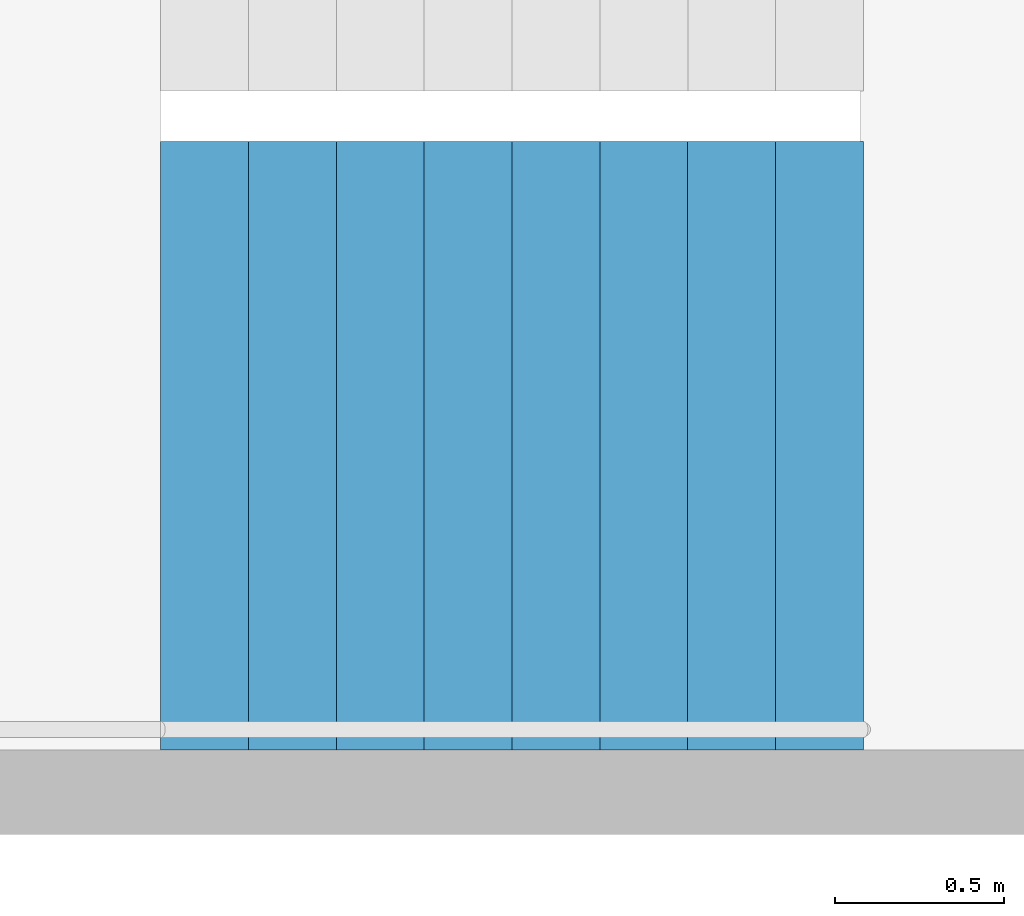
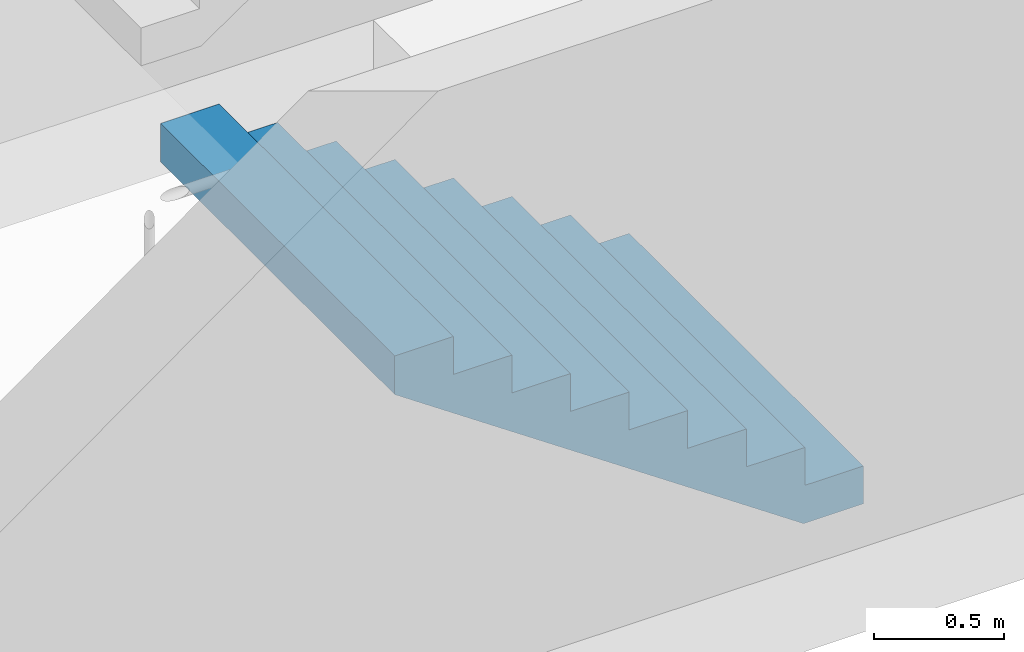
# One storey, part 27 of 29: 1 stair flight, 1 element without a shape of its own.
"""IFC4 building model written with IfcOpenShell, lengths in metres."""

from ifc_helpers import new_model, si_unit, direction, frame, origin, place, context, subcontext, project, spatial, triangles, material, type_object, element, aggregate, save


model = new_model("IFC4")

# Units and contexts
model_context = context("Model", 3, precision=1e-05, world=origin(), true_north=direction((0.0, 1.0)))
body_context = subcontext(model_context, "Body", "Model", "MODEL_VIEW")
ifc_project = project(units=[si_unit("LENGTHUNIT", "METRE"), si_unit("AREAUNIT", "SQUARE_METRE"), si_unit("VOLUMEUNIT", "CUBIC_METRE"), si_unit("PLANEANGLEUNIT", "RADIAN"), si_unit("MASSUNIT", "GRAM", prefix="KILO")], contexts=[model_context])

# Site, building, storey
site_placement = place(None, origin())
site = spatial("IfcSite", under=ifc_project, at=site_placement, CompositionType="ELEMENT")
building_placement = place(site_placement, origin())
building = spatial("IfcBuilding", under=site, at=building_placement, Name="Hakoniwa Tower and Hamabe Station Hall", CompositionType="ELEMENT")
storey_placement = place(building_placement, frame((0.0, 0.0, 29.39990234375)))
storey = spatial("IfcBuildingStorey", under=building, at=storey_placement, Name="L07", CompositionType="ELEMENT", Elevation=29.39990234375)

# Stair, stair flight
ifc_material_1 = material(Name="Concrete C40", Category="concrete")
stair_type = type_object("IfcStairType", Name="ESCAPE STAIR 1800", PredefinedType="HALF_TURN_STAIR", material=ifc_material_1)
stair_placement = place(storey_placement, origin())
stair = element("IfcStair", 1, at=stair_placement, inside=storey, type_object=stair_type, Name="Escape stair ST-3 L07", PredefinedType="HALF_TURN_STAIR")
ifc_material_2 = material(Name="Concrete C40", Category="concrete")
stair_flight_type = type_object("IfcStairFlightType", Name="STAIR FLIGHT 1800", PredefinedType="STRAIGHT", material=ifc_material_2)
stair_flight_placement = place(storey_placement, frame((24.39990234375, 4.64990234375, 0.0), z_axis=(0.0, 0.0, 1.0), x_axis=(-1.0, 0.0, 0.0)))
stair_flight = element("IfcStairFlight", 2, at=stair_flight_placement, type_object=stair_flight_type, Name="ST-3 flight 1", NumberOfRisers=9, NumberOfTreads=8, PredefinedType="STRAIGHT", RiserHeight=0.177777778, TreadLength=0.26, context=body_context, shape_type="Tessellation", body=[
    triangles([(0.0, 0.89990234375, 0.0), (0.260009765625, 0.89990234375, 0.0), (0.265625, 0.89990234375, 0.0), (0.52001953125, 0.89990234375, 0.174072265625), (0.780029296875, 0.89990234375, 0.351806640625), (1.0400390625, 0.89990234375, 0.529541015625), (1.300048828125, 0.89990234375, 0.707275390625), (1.56005859375, 0.89990234375, 0.885009765625), (1.820068359375, 0.89990234375, 1.062744140625), (2.080078125, 0.89990234375, 1.24072265625), (2.080078125, 0.89990234375, 1.422119140625), (1.820068359375, 0.89990234375, 1.422119140625), (1.820068359375, 0.89990234375, 1.244384765625), (1.56005859375, 0.89990234375, 1.244384765625), (1.56005859375, 0.89990234375, 1.066650390625), (1.300048828125, 0.89990234375, 1.066650390625), (1.300048828125, 0.89990234375, 0.888916015625), (1.0400390625, 0.89990234375, 0.888916015625), (1.0400390625, 0.89990234375, 0.711181640625), (0.780029296875, 0.89990234375, 0.711181640625), (0.780029296875, 0.89990234375, 0.533447265625), (0.52001953125, 0.89990234375, 0.533447265625), (0.52001953125, 0.89990234375, 0.35546875), (0.265625, 0.89990234375, 0.35546875), (0.260009765625, 0.89990234375, 0.35546875), (0.260009765625, 0.89990234375, 0.177734375), (0.0, 0.89990234375, 0.177734375), (0.0, 0.06005859375, 0.0), (0.260009765625, 0.06005859375, 0.0), (0.265625, 0.06005859375, 0.0), (0.52001953125, 0.06005859375, 0.174072265625), (0.780029296875, 0.06005859375, 0.351806640625), (1.0400390625, 0.06005859375, 0.529541015625), (1.300048828125, 0.06005859375, 0.707275390625), (1.56005859375, 0.06005859375, 0.885009765625), (1.820068359375, 0.06005859375, 1.062744140625), (2.080078125, 0.06005859375, 1.24072265625), (2.080078125, 0.06005859375, 1.422119140625), (1.820068359375, 0.06005859375, 1.422119140625), (1.820068359375, 0.06005859375, 1.244384765625), (1.56005859375, 0.06005859375, 1.244384765625), (1.56005859375, 0.06005859375, 1.066650390625), (1.300048828125, 0.06005859375, 1.066650390625), (1.300048828125, 0.06005859375, 0.888916015625), (1.0400390625, 0.06005859375, 0.888916015625), (1.0400390625, 0.06005859375, 0.711181640625), (0.780029296875, 0.06005859375, 0.711181640625), (0.780029296875, 0.06005859375, 0.533447265625), (0.52001953125, 0.06005859375, 0.533447265625), (0.52001953125, 0.06005859375, 0.35546875), (0.265625, 0.06005859375, 0.35546875), (0.260009765625, 0.06005859375, 0.35546875), (0.260009765625, 0.06005859375, 0.177734375), (0.0, 0.06005859375, 0.177734375), (0.0, 0.04296875, 0.0), (0.260009765625, 0.04296875, 0.0), (0.265625, 0.04296875, 0.0), (0.52001953125, 0.04296875, 0.174072265625), (0.780029296875, 0.04296875, 0.351806640625), (1.0400390625, 0.04296875, 0.529541015625), (1.300048828125, 0.04296875, 0.707275390625), (1.56005859375, 0.04296875, 0.885009765625), (1.820068359375, 0.04296875, 1.062744140625), (2.080078125, 0.04296875, 1.24072265625), (2.080078125, 0.04296875, 1.422119140625), (1.820068359375, 0.04296875, 1.422119140625), (1.820068359375, 0.04296875, 1.244384765625), (1.56005859375, 0.04296875, 1.244384765625), (1.56005859375, 0.04296875, 1.066650390625), (1.300048828125, 0.04296875, 1.066650390625), (1.300048828125, 0.04296875, 0.888916015625), (1.0400390625, 0.04296875, 0.888916015625), (1.0400390625, 0.04296875, 0.711181640625), (0.780029296875, 0.04296875, 0.711181640625), (0.780029296875, 0.04296875, 0.533447265625), (0.52001953125, 0.04296875, 0.533447265625), (0.52001953125, 0.04296875, 0.35546875), (0.265625, 0.04296875, 0.35546875), (0.260009765625, 0.04296875, 0.35546875), (0.260009765625, 0.04296875, 0.177734375), (0.0, 0.04296875, 0.177734375), (0.0, 0.025634765625, 0.0), (0.260009765625, 0.025634765625, 0.0), (0.265625, 0.025634765625, 0.0), (0.52001953125, 0.025634765625, 0.174072265625), (0.780029296875, 0.025634765625, 0.351806640625), (1.0400390625, 0.025634765625, 0.529541015625), (1.300048828125, 0.025634765625, 0.707275390625), (1.56005859375, 0.025634765625, 0.885009765625), (1.820068359375, 0.025634765625, 1.062744140625), (2.080078125, 0.025634765625, 1.24072265625), (2.080078125, 0.025634765625, 1.422119140625), (1.820068359375, 0.025634765625, 1.422119140625), (1.820068359375, 0.025634765625, 1.244384765625), (1.56005859375, 0.025634765625, 1.244384765625), (1.56005859375, 0.025634765625, 1.066650390625), (1.300048828125, 0.025634765625, 1.066650390625), (1.300048828125, 0.025634765625, 0.888916015625), (1.0400390625, 0.025634765625, 0.888916015625), (1.0400390625, 0.025634765625, 0.711181640625), (0.780029296875, 0.025634765625, 0.711181640625), (0.780029296875, 0.025634765625, 0.533447265625), (0.52001953125, 0.025634765625, 0.533447265625), (0.52001953125, 0.025634765625, 0.35546875), (0.265625, 0.025634765625, 0.35546875), (0.260009765625, 0.025634765625, 0.35546875), (0.260009765625, 0.025634765625, 0.177734375), (0.0, 0.025634765625, 0.177734375), (0.0, 0.008544921875, 0.0), (0.260009765625, 0.008544921875, 0.0), (0.265625, 0.008544921875, 0.0), (0.52001953125, 0.008544921875, 0.174072265625), (0.780029296875, 0.008544921875, 0.351806640625), (1.0400390625, 0.008544921875, 0.529541015625), (1.300048828125, 0.008544921875, 0.707275390625), (1.56005859375, 0.008544921875, 0.885009765625), (1.820068359375, 0.008544921875, 1.062744140625), (2.080078125, 0.008544921875, 1.24072265625), (2.080078125, 0.008544921875, 1.422119140625), (1.820068359375, 0.008544921875, 1.422119140625), (1.820068359375, 0.008544921875, 1.244384765625), (1.56005859375, 0.008544921875, 1.244384765625), (1.56005859375, 0.008544921875, 1.066650390625), (1.300048828125, 0.008544921875, 1.066650390625), (1.300048828125, 0.008544921875, 0.888916015625), (1.0400390625, 0.008544921875, 0.888916015625), (1.0400390625, 0.008544921875, 0.711181640625), (0.780029296875, 0.008544921875, 0.711181640625), (0.780029296875, 0.008544921875, 0.533447265625), (0.52001953125, 0.008544921875, 0.533447265625), (0.52001953125, 0.008544921875, 0.35546875), (0.265625, 0.008544921875, 0.35546875), (0.260009765625, 0.008544921875, 0.35546875), (0.260009765625, 0.008544921875, 0.177734375), (0.0, 0.008544921875, 0.177734375), (0.0, -0.008544921875, 0.0), (0.260009765625, -0.008544921875, 0.0), (0.265625, -0.008544921875, 0.0), (0.52001953125, -0.008544921875, 0.174072265625), (0.780029296875, -0.008544921875, 0.351806640625), (1.0400390625, -0.008544921875, 0.529541015625), (1.300048828125, -0.008544921875, 0.707275390625), (1.56005859375, -0.008544921875, 0.885009765625), (1.820068359375, -0.008544921875, 1.062744140625), (2.080078125, -0.008544921875, 1.24072265625), (2.080078125, -0.008544921875, 1.422119140625), (1.820068359375, -0.008544921875, 1.422119140625), (1.820068359375, -0.008544921875, 1.244384765625), (1.56005859375, -0.008544921875, 1.244384765625), (1.56005859375, -0.008544921875, 1.066650390625), (1.300048828125, -0.008544921875, 1.066650390625), (1.300048828125, -0.008544921875, 0.888916015625), (1.0400390625, -0.008544921875, 0.888916015625), (1.0400390625, -0.008544921875, 0.711181640625), (0.780029296875, -0.008544921875, 0.711181640625), (0.780029296875, -0.008544921875, 0.533447265625), (0.52001953125, -0.008544921875, 0.533447265625), (0.52001953125, -0.008544921875, 0.35546875), (0.265625, -0.008544921875, 0.35546875), (0.260009765625, -0.008544921875, 0.35546875), (0.260009765625, -0.008544921875, 0.177734375), (0.0, -0.008544921875, 0.177734375), (0.0, -0.025634765625, 0.0), (0.260009765625, -0.025634765625, 0.0), (0.265625, -0.025634765625, 0.0), (0.52001953125, -0.025634765625, 0.174072265625), (0.780029296875, -0.025634765625, 0.351806640625), (1.0400390625, -0.025634765625, 0.529541015625), (1.300048828125, -0.025634765625, 0.707275390625), (1.56005859375, -0.025634765625, 0.885009765625), (1.820068359375, -0.025634765625, 1.062744140625), (2.080078125, -0.025634765625, 1.24072265625), (2.080078125, -0.025634765625, 1.422119140625), (1.820068359375, -0.025634765625, 1.422119140625), (1.820068359375, -0.025634765625, 1.244384765625), (1.56005859375, -0.025634765625, 1.244384765625), (1.56005859375, -0.025634765625, 1.066650390625), (1.300048828125, -0.025634765625, 1.066650390625), (1.300048828125, -0.025634765625, 0.888916015625), (1.0400390625, -0.025634765625, 0.888916015625), (1.0400390625, -0.025634765625, 0.711181640625), (0.780029296875, -0.025634765625, 0.711181640625), (0.780029296875, -0.025634765625, 0.533447265625), (0.52001953125, -0.025634765625, 0.533447265625), (0.52001953125, -0.025634765625, 0.35546875), (0.265625, -0.025634765625, 0.35546875), (0.260009765625, -0.025634765625, 0.35546875), (0.260009765625, -0.025634765625, 0.177734375), (0.0, -0.025634765625, 0.177734375), (0.0, -0.04296875, 0.0), (0.260009765625, -0.04296875, 0.0), (0.265625, -0.04296875, 0.0), (0.52001953125, -0.04296875, 0.174072265625), (0.780029296875, -0.04296875, 0.351806640625), (1.0400390625, -0.04296875, 0.529541015625), (1.300048828125, -0.04296875, 0.707275390625), (1.56005859375, -0.04296875, 0.885009765625), (1.820068359375, -0.04296875, 1.062744140625), (2.080078125, -0.04296875, 1.24072265625), (2.080078125, -0.04296875, 1.422119140625), (1.820068359375, -0.04296875, 1.422119140625), (1.820068359375, -0.04296875, 1.244384765625), (1.56005859375, -0.04296875, 1.244384765625), (1.56005859375, -0.04296875, 1.066650390625), (1.300048828125, -0.04296875, 1.066650390625), (1.300048828125, -0.04296875, 0.888916015625), (1.0400390625, -0.04296875, 0.888916015625), (1.0400390625, -0.04296875, 0.711181640625), (0.780029296875, -0.04296875, 0.711181640625), (0.780029296875, -0.04296875, 0.533447265625), (0.52001953125, -0.04296875, 0.533447265625), (0.52001953125, -0.04296875, 0.35546875), (0.265625, -0.04296875, 0.35546875), (0.260009765625, -0.04296875, 0.35546875), (0.260009765625, -0.04296875, 0.177734375), (0.0, -0.04296875, 0.177734375), (0.0, -0.06005859375, 0.0), (0.260009765625, -0.06005859375, 0.0), (0.265625, -0.06005859375, 0.0), (0.52001953125, -0.06005859375, 0.174072265625), (0.780029296875, -0.06005859375, 0.351806640625), (1.0400390625, -0.06005859375, 0.529541015625), (1.300048828125, -0.06005859375, 0.707275390625), (1.56005859375, -0.06005859375, 0.885009765625), (1.820068359375, -0.06005859375, 1.062744140625), (2.080078125, -0.06005859375, 1.24072265625), (2.080078125, -0.06005859375, 1.422119140625), (1.820068359375, -0.06005859375, 1.422119140625), (1.820068359375, -0.06005859375, 1.244384765625), (1.56005859375, -0.06005859375, 1.244384765625), (1.56005859375, -0.06005859375, 1.066650390625), (1.300048828125, -0.06005859375, 1.066650390625), (1.300048828125, -0.06005859375, 0.888916015625), (1.0400390625, -0.06005859375, 0.888916015625), (1.0400390625, -0.06005859375, 0.711181640625), (0.780029296875, -0.06005859375, 0.711181640625), (0.780029296875, -0.06005859375, 0.533447265625), (0.52001953125, -0.06005859375, 0.533447265625), (0.52001953125, -0.06005859375, 0.35546875), (0.265625, -0.06005859375, 0.35546875), (0.260009765625, -0.06005859375, 0.35546875), (0.260009765625, -0.06005859375, 0.177734375), (0.0, -0.06005859375, 0.177734375), (0.0, -0.89990234375, 0.0), (0.260009765625, -0.89990234375, 0.0), (0.265625, -0.89990234375, 0.0), (0.52001953125, -0.89990234375, 0.174072265625), (0.780029296875, -0.89990234375, 0.351806640625), (1.0400390625, -0.89990234375, 0.529541015625), (1.300048828125, -0.89990234375, 0.707275390625), (1.56005859375, -0.89990234375, 0.885009765625), (1.820068359375, -0.89990234375, 1.062744140625), (2.080078125, -0.89990234375, 1.24072265625), (2.080078125, -0.89990234375, 1.422119140625), (1.820068359375, -0.89990234375, 1.422119140625), (1.820068359375, -0.89990234375, 1.244384765625), (1.56005859375, -0.89990234375, 1.244384765625), (1.56005859375, -0.89990234375, 1.066650390625), (1.300048828125, -0.89990234375, 1.066650390625), (1.300048828125, -0.89990234375, 0.888916015625), (1.0400390625, -0.89990234375, 0.888916015625), (1.0400390625, -0.89990234375, 0.711181640625), (0.780029296875, -0.89990234375, 0.711181640625), (0.780029296875, -0.89990234375, 0.533447265625), (0.52001953125, -0.89990234375, 0.533447265625), (0.52001953125, -0.89990234375, 0.35546875), (0.265625, -0.89990234375, 0.35546875), (0.260009765625, -0.89990234375, 0.35546875), (0.260009765625, -0.89990234375, 0.177734375), (0.0, -0.89990234375, 0.177734375)], [[2, 27, 26], [245, 269, 270], [2, 1, 27], [245, 270, 244], [3, 25, 24], [246, 267, 268], [3, 26, 25], [246, 268, 269], [3, 2, 26], [246, 269, 245], [4, 24, 23], [247, 266, 267], [4, 3, 24], [247, 267, 246], [5, 22, 21], [248, 264, 265], [5, 23, 22], [248, 265, 266], [5, 4, 23], [248, 266, 247], [6, 20, 19], [249, 262, 263], [6, 21, 20], [249, 263, 264], [6, 5, 21], [249, 264, 248], [7, 18, 17], [250, 260, 261], [7, 19, 18], [250, 261, 262], [7, 6, 19], [250, 262, 249], [8, 16, 15], [251, 258, 259], [8, 17, 16], [251, 259, 260], [8, 7, 17], [251, 260, 250], [9, 14, 13], [252, 256, 257], [9, 15, 14], [252, 257, 258], [9, 8, 15], [252, 258, 251], [10, 12, 11], [253, 254, 255], [10, 13, 12], [253, 255, 256], [10, 9, 13], [253, 256, 252], [1, 2, 29], [1, 29, 28], [28, 29, 56], [28, 56, 55], [55, 56, 83], [55, 83, 82], [82, 83, 110], [82, 110, 109], [109, 110, 137], [109, 137, 136], [136, 137, 164], [136, 164, 163], [163, 164, 191], [163, 191, 190], [190, 191, 218], [190, 218, 217], [217, 218, 245], [217, 245, 244], [2, 3, 30], [2, 30, 29], [29, 30, 57], [29, 57, 56], [56, 57, 84], [56, 84, 83], [83, 84, 111], [83, 111, 110], [110, 111, 138], [110, 138, 137], [137, 138, 165], [137, 165, 164], [164, 165, 192], [164, 192, 191], [191, 192, 219], [191, 219, 218], [218, 219, 246], [218, 246, 245], [3, 4, 31], [3, 31, 30], [30, 31, 58], [30, 58, 57], [57, 58, 85], [57, 85, 84], [84, 85, 112], [84, 112, 111], [111, 112, 139], [111, 139, 138], [138, 139, 166], [138, 166, 165], [165, 166, 193], [165, 193, 192], [192, 193, 220], [192, 220, 219], [219, 220, 247], [219, 247, 246], [4, 5, 32], [4, 32, 31], [31, 32, 59], [31, 59, 58], [58, 59, 86], [58, 86, 85], [85, 86, 113], [85, 113, 112], [112, 113, 140], [112, 140, 139], [139, 140, 167], [139, 167, 166], [166, 167, 194], [166, 194, 193], [193, 194, 221], [193, 221, 220], [220, 221, 248], [220, 248, 247], [5, 6, 33], [5, 33, 32], [32, 33, 60], [32, 60, 59], [59, 60, 87], [59, 87, 86], [86, 87, 114], [86, 114, 113], [113, 114, 141], [113, 141, 140], [140, 141, 168], [140, 168, 167], [167, 168, 195], [167, 195, 194], [194, 195, 222], [194, 222, 221], [221, 222, 249], [221, 249, 248], [6, 7, 34], [6, 34, 33], [33, 34, 61], [33, 61, 60], [60, 61, 88], [60, 88, 87], [87, 88, 115], [87, 115, 114], [114, 115, 142], [114, 142, 141], [141, 142, 169], [141, 169, 168], [168, 169, 196], [168, 196, 195], [195, 196, 223], [195, 223, 222], [222, 223, 250], [222, 250, 249], [7, 8, 35], [7, 35, 34], [34, 35, 62], [34, 62, 61], [61, 62, 89], [61, 89, 88], [88, 89, 116], [88, 116, 115], [115, 116, 143], [115, 143, 142], [142, 143, 170], [142, 170, 169], [169, 170, 197], [169, 197, 196], [196, 197, 224], [196, 224, 223], [223, 224, 251], [223, 251, 250], [8, 9, 36], [8, 36, 35], [35, 36, 63], [35, 63, 62], [62, 63, 90], [62, 90, 89], [89, 90, 117], [89, 117, 116], [116, 117, 144], [116, 144, 143], [143, 144, 171], [143, 171, 170], [170, 171, 198], [170, 198, 197], [197, 198, 225], [197, 225, 224], [224, 225, 252], [224, 252, 251], [9, 10, 37], [9, 37, 36], [36, 37, 64], [36, 64, 63], [63, 64, 91], [63, 91, 90], [90, 91, 118], [90, 118, 117], [117, 118, 145], [117, 145, 144], [144, 145, 172], [144, 172, 171], [171, 172, 199], [171, 199, 198], [198, 199, 226], [198, 226, 225], [225, 226, 253], [225, 253, 252], [10, 11, 38], [10, 38, 37], [37, 38, 65], [37, 65, 64], [64, 65, 92], [64, 92, 91], [91, 92, 119], [91, 119, 118], [118, 119, 146], [118, 146, 145], [145, 146, 173], [145, 173, 172], [172, 173, 200], [172, 200, 199], [199, 200, 227], [199, 227, 226], [226, 227, 254], [226, 254, 253], [11, 12, 39], [11, 39, 38], [38, 39, 66], [38, 66, 65], [65, 66, 93], [65, 93, 92], [92, 93, 120], [92, 120, 119], [119, 120, 147], [119, 147, 146], [146, 147, 174], [146, 174, 173], [173, 174, 201], [173, 201, 200], [200, 201, 228], [200, 228, 227], [227, 228, 255], [227, 255, 254], [12, 13, 40], [12, 40, 39], [39, 40, 67], [39, 67, 66], [66, 67, 94], [66, 94, 93], [93, 94, 121], [93, 121, 120], [120, 121, 148], [120, 148, 147], [147, 148, 175], [147, 175, 174], [174, 175, 202], [174, 202, 201], [201, 202, 229], [201, 229, 228], [228, 229, 256], [228, 256, 255], [13, 14, 41], [13, 41, 40], [40, 41, 68], [40, 68, 67], [67, 68, 95], [67, 95, 94], [94, 95, 122], [94, 122, 121], [121, 122, 149], [121, 149, 148], [148, 149, 176], [148, 176, 175], [175, 176, 203], [175, 203, 202], [202, 203, 230], [202, 230, 229], [229, 230, 257], [229, 257, 256], [14, 15, 42], [14, 42, 41], [41, 42, 69], [41, 69, 68], [68, 69, 96], [68, 96, 95], [95, 96, 123], [95, 123, 122], [122, 123, 150], [122, 150, 149], [149, 150, 177], [149, 177, 176], [176, 177, 204], [176, 204, 203], [203, 204, 231], [203, 231, 230], [230, 231, 258], [230, 258, 257], [15, 16, 43], [15, 43, 42], [42, 43, 70], [42, 70, 69], [69, 70, 97], [69, 97, 96], [96, 97, 124], [96, 124, 123], [123, 124, 151], [123, 151, 150], [150, 151, 178], [150, 178, 177], [177, 178, 205], [177, 205, 204], [204, 205, 232], [204, 232, 231], [231, 232, 259], [231, 259, 258], [16, 17, 44], [16, 44, 43], [43, 44, 71], [43, 71, 70], [70, 71, 98], [70, 98, 97], [97, 98, 125], [97, 125, 124], [124, 125, 152], [124, 152, 151], [151, 152, 179], [151, 179, 178], [178, 179, 206], [178, 206, 205], [205, 206, 233], [205, 233, 232], [232, 233, 260], [232, 260, 259], [17, 18, 45], [17, 45, 44], [44, 45, 72], [44, 72, 71], [71, 72, 99], [71, 99, 98], [98, 99, 126], [98, 126, 125], [125, 126, 153], [125, 153, 152], [152, 153, 180], [152, 180, 179], [179, 180, 207], [179, 207, 206], [206, 207, 234], [206, 234, 233], [233, 234, 261], [233, 261, 260], [18, 19, 46], [18, 46, 45], [45, 46, 73], [45, 73, 72], [72, 73, 100], [72, 100, 99], [99, 100, 127], [99, 127, 126], [126, 127, 154], [126, 154, 153], [153, 154, 181], [153, 181, 180], [180, 181, 208], [180, 208, 207], [207, 208, 235], [207, 235, 234], [234, 235, 262], [234, 262, 261], [19, 20, 47], [19, 47, 46], [46, 47, 74], [46, 74, 73], [73, 74, 101], [73, 101, 100], [100, 101, 128], [100, 128, 127], [127, 128, 155], [127, 155, 154], [154, 155, 182], [154, 182, 181], [181, 182, 209], [181, 209, 208], [208, 209, 236], [208, 236, 235], [235, 236, 263], [235, 263, 262], [20, 21, 48], [20, 48, 47], [47, 48, 75], [47, 75, 74], [74, 75, 102], [74, 102, 101], [101, 102, 129], [101, 129, 128], [128, 129, 156], [128, 156, 155], [155, 156, 183], [155, 183, 182], [182, 183, 210], [182, 210, 209], [209, 210, 237], [209, 237, 236], [236, 237, 264], [236, 264, 263], [21, 22, 49], [21, 49, 48], [48, 49, 76], [48, 76, 75], [75, 76, 103], [75, 103, 102], [102, 103, 130], [102, 130, 129], [129, 130, 157], [129, 157, 156], [156, 157, 184], [156, 184, 183], [183, 184, 211], [183, 211, 210], [210, 211, 238], [210, 238, 237], [237, 238, 265], [237, 265, 264], [22, 23, 50], [22, 50, 49], [49, 50, 77], [49, 77, 76], [76, 77, 104], [76, 104, 103], [103, 104, 131], [103, 131, 130], [130, 131, 158], [130, 158, 157], [157, 158, 185], [157, 185, 184], [184, 185, 212], [184, 212, 211], [211, 212, 239], [211, 239, 238], [238, 239, 266], [238, 266, 265], [23, 24, 51], [23, 51, 50], [50, 51, 78], [50, 78, 77], [77, 78, 105], [77, 105, 104], [104, 105, 132], [104, 132, 131], [131, 132, 159], [131, 159, 158], [158, 159, 186], [158, 186, 185], [185, 186, 213], [185, 213, 212], [212, 213, 240], [212, 240, 239], [239, 240, 267], [239, 267, 266], [24, 25, 52], [24, 52, 51], [51, 52, 79], [51, 79, 78], [78, 79, 106], [78, 106, 105], [105, 106, 133], [105, 133, 132], [132, 133, 160], [132, 160, 159], [159, 160, 187], [159, 187, 186], [186, 187, 214], [186, 214, 213], [213, 214, 241], [213, 241, 240], [240, 241, 268], [240, 268, 267], [25, 26, 53], [25, 53, 52], [52, 53, 80], [52, 80, 79], [79, 80, 107], [79, 107, 106], [106, 107, 134], [106, 134, 133], [133, 134, 161], [133, 161, 160], [160, 161, 188], [160, 188, 187], [187, 188, 215], [187, 215, 214], [214, 215, 242], [214, 242, 241], [241, 242, 269], [241, 269, 268], [26, 27, 54], [26, 54, 53], [53, 54, 81], [53, 81, 80], [80, 81, 108], [80, 108, 107], [107, 108, 135], [107, 135, 134], [134, 135, 162], [134, 162, 161], [161, 162, 189], [161, 189, 188], [188, 189, 216], [188, 216, 215], [215, 216, 243], [215, 243, 242], [242, 243, 270], [242, 270, 269], [27, 1, 28], [27, 28, 54], [54, 28, 55], [54, 55, 81], [81, 55, 82], [81, 82, 108], [108, 82, 109], [108, 109, 135], [135, 109, 136], [135, 136, 162], [162, 136, 163], [162, 163, 189], [189, 163, 190], [189, 190, 216], [216, 190, 217], [216, 217, 243], [243, 217, 244], [243, 244, 270]], closed=True),
])
aggregate(stair, [stair_flight])

save(model, "model.ifc")
